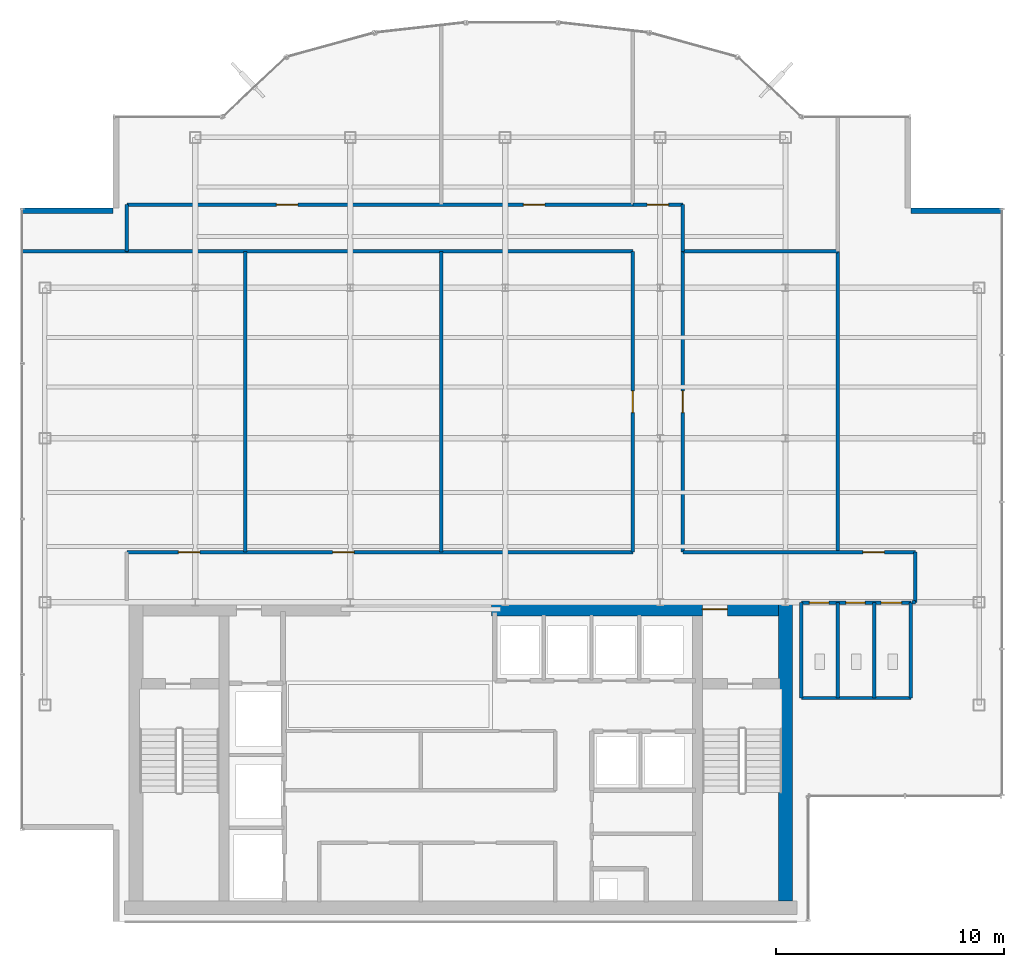
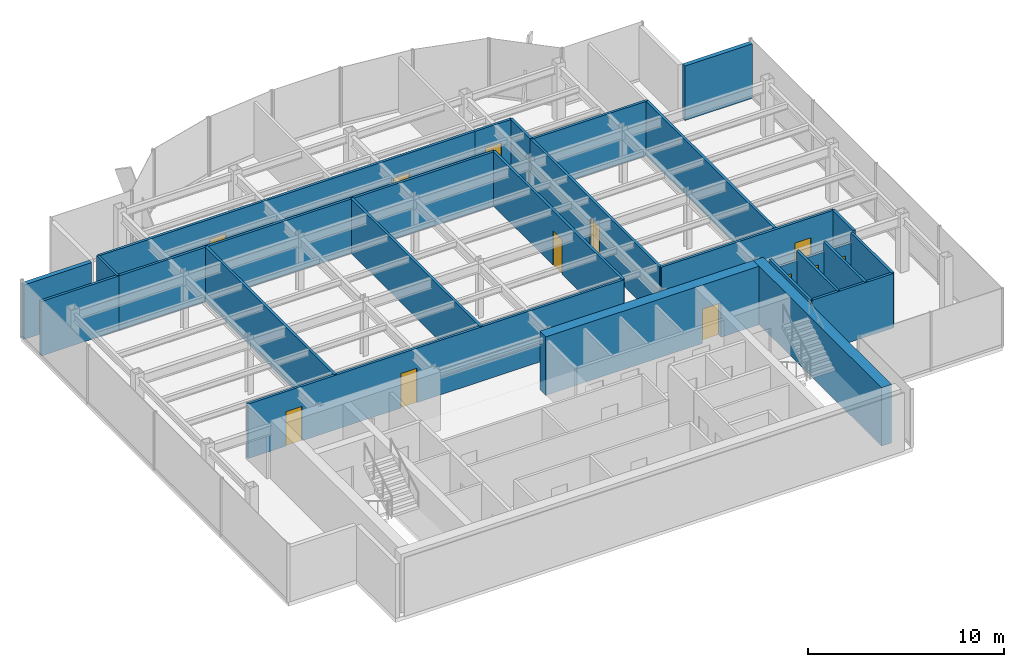
# One storey, part 18 of 22: 26 walls, 12 doors, 12 openings.
"""IFC4 building model written with IfcOpenShell, lengths in metres."""

from ifc_helpers import new_model, si_unit, derived_unit, direction, frame, frame_2d, origin, place, context, subcontext, project, spatial, rectangle, extrude, source, transform, mapped, material, layer, layer_set, type_object, element, fill, save


model = new_model("IFC4")

# Units and contexts
model_context = context("Model", 3, precision=1e-05, world=origin(), true_north=direction((0.0, 1.0)))
body_context = subcontext(model_context, "Body", "Model", "MODEL_VIEW")
ifc_project = project(units=[si_unit("LENGTHUNIT", "METRE"), si_unit("AREAUNIT", "SQUARE_METRE"), si_unit("VOLUMEUNIT", "CUBIC_METRE"), si_unit("PLANEANGLEUNIT", "RADIAN"), si_unit("MASSUNIT", "GRAM", prefix="KILO"), derived_unit("THERMALTRANSMITTANCEUNIT", [(si_unit("POWERUNIT", "WATT"), 1), (si_unit("LENGTHUNIT", "METRE"), -2), (si_unit("THERMODYNAMICTEMPERATUREUNIT", "KELVIN"), -1)])], contexts=[model_context])

# Site, building, storey
site_placement = place(None, origin())
site = spatial("IfcSite", under=ifc_project, at=site_placement, CompositionType="ELEMENT")
building_placement = place(site_placement, origin())
building = spatial("IfcBuilding", under=site, at=building_placement, Name="Skarnbrae Concourse Arena and Tower", CompositionType="ELEMENT")
storey_placement = place(building_placement, frame((0.0, 0.0, 203.199951171875)))
storey = spatial("IfcBuildingStorey", under=building, at=storey_placement, Name="L52", CompositionType="ELEMENT", Elevation=203.199951171875)

# Wall
ifc_material_1 = material(Name="Concrete 50 MPa (C50/60)", Category="concrete")
ifc_layer_1 = layer(ifc_material_1, 0.60009765625)
ifc_layer_set_1 = layer_set([ifc_layer_1], Name="Concrete 50 MPa (C50/60)")
wall_type_1 = type_object("IfcWallType", Name="WALL-CORE-600-C50", PredefinedType="SHEAR", material=ifc_layer_set_1)
shared_shape_1 = source(origin(), body_context, "Body", "SweptSolid", [
    extrude(rectangle(XDim=13.10009765625, YDim=0.60009765625, at=frame_2d((6.550048828125, 0.0))), origin(), (0.0, 0.0, 1.0), 3.650146484375),
])
wall_1_placement = place(storey_placement, frame((33.5, 0.89990234375, 0.0), z_axis=(0.0, 0.0, 1.0), x_axis=(0.0, 1.0, 0.0)))
element("IfcWall", 1, at=wall_1_placement, inside=storey, type_object=wall_type_1, Name="L52 Rear core shear wall CW-E", PredefinedType="SHEAR", context=body_context, shape_type="MappedRepresentation", body=[
    mapped(shared_shape_1, transform((0.0, 0.0, 0.0))),
])

# Wall, opening, door
shared_shape_2 = source(origin(), body_context, "Body", "SweptSolid", [
    extrude(rectangle(XDim=12.599853515625, YDim=0.60009765625, at=frame_2d((6.2998046875, 0.0))), origin(), (0.0, 0.0, 1.0), 3.650146484375),
])
wall_2_placement = place(storey_placement, frame((20.60009765625, 13.699951171875, 0.0), z_axis=(0.0, 0.0, 1.0), x_axis=(1.0, 0.0, 0.0)))
wall_2 = element("IfcWall", 2, at=wall_2_placement, inside=storey, type_object=wall_type_1, Name="L52 Rear core shear wall CW-NE", PredefinedType="SHEAR", context=body_context, shape_type="MappedRepresentation", body=[
    mapped(shared_shape_2, transform((0.0, 0.0, 0.0))),
])
opening_1_placement = place(wall_2_placement, frame((9.25, 0.0, 0.0)))
opening_1 = element("IfcOpeningElement", 3, at=opening_1_placement, cuts=wall_2, Name="Opening DT-03", PredefinedType="OPENING", context=body_context, shape_type="SweptSolid", body=[
    extrude(rectangle(XDim=1.10009765625, YDim=2.14990234375, at=frame_2d((0.550048828125, 1.074951171875))), frame((0.0, 0.31005859375, 0.0), z_axis=(0.0, -1.0, 0.0), x_axis=(1.0, 0.0, 0.0)), (0.0, 0.0, 1.0), 0.6201171875),
])
ifc_material_2 = material(Name="Steel CSA G40.21 350W", Category="steel")
door_type_1 = type_object("IfcDoorType", Name="DOOR-FIRE-1100-90M", OperationType="NOTDEFINED", PredefinedType="DOOR", material=ifc_material_2)
shared_shape_3 = source(origin(), body_context, "Body", "SweptSolid", [
    extrude(rectangle(XDim=1.10009765625, YDim=2.14990234375, at=frame_2d((0.550048828125, 1.074951171875))), frame((0.0, 0.02490234375, 0.0), z_axis=(0.0, -1.0, 0.0), x_axis=(1.0, 0.0, 0.0)), (0.0, 0.0, 1.0), 0.050048828125),
])
door_1_placement = place(opening_1_placement, origin())
door_1 = element("IfcDoor", 4, at=door_1_placement, inside=storey, type_object=door_type_1, Name="D-1586 Stair ST-2 Vestibule Door", OperationType="SINGLE_SWING_LEFT", OverallHeight=2.14990234375, OverallWidth=1.10009765625, PredefinedType="DOOR", context=body_context, shape_type="MappedRepresentation", body=[
    mapped(shared_shape_3, transform((0.0, 0.0, 0.0))),
])
fill(opening_1, door_1)

# Walls
ifc_material_3 = material(Name="Precast concrete 40 MPa (C40/50)", Category="concrete")
ifc_layer_2 = layer(ifc_material_3, 0.25)
ifc_layer_set_2 = layer_set([ifc_layer_2], Name="Precast concrete 40 MPa (C40/50)")
wall_type_2 = type_object("IfcWallType", Name="WALL-EXT-SPANDREL-250", PredefinedType="STANDARD", material=ifc_layer_set_2)
shared_shape_4 = source(origin(), body_context, "Body", "SweptSolid", [
    extrude(rectangle(XDim=4.0, YDim=0.25, at=frame_2d((2.0, 0.0))), origin(), (0.0, 0.0, 1.0), 3.400146484375),
])
for number, where, z_axis, x_axis, name in (
    (5, (43.0, 31.175048828125, 0.0), (0.0, 0.0, 1.0), (-1.0, 0.0, 0.0), "L52 Notched corner insulated return wall 05"),
    (6, (4.0, 31.175048828125, 0.0), (0.0, 0.0, 1.0), (-1.0, 0.0, 0.0), "L52 Notched corner insulated return wall 17"),
):
    element("IfcWall", number, at=place(storey_placement, frame(where, z_axis=z_axis, x_axis=x_axis)), inside=storey, type_object=wall_type_2, Name=name, PredefinedType="STANDARD", context=body_context, shape_type="MappedRepresentation", body=[
        mapped(shared_shape_4, transform((0.0, 0.0, 0.0))),
    ])
ifc_material_4 = material(Name="Gypsum board on cold-formed steel studs", Category="steel")
ifc_layer_3 = layer(ifc_material_4, 0.14990234375)
ifc_layer_set_3 = layer_set([ifc_layer_3], Name="Gypsum board on cold-formed steel studs")
wall_type_3 = type_object("IfcWallType", Name="WALL-PART-150", PredefinedType="PARTITIONING", material=ifc_layer_set_3)
shared_shape_5 = source(origin(), body_context, "Body", "SweptSolid", [
    extrude(rectangle(XDim=4.800048828125, YDim=0.14990234375, at=frame_2d((2.39990234375, 0.0))), origin(), (0.0, 0.0, 1.0), 3.400146484375),
])
wall_3_placement = place(storey_placement, frame((34.199951171875, 9.800048828125, 0.0), z_axis=(0.0, 0.0, 1.0), x_axis=(1.0, 0.0, 0.0)))
element("IfcWall", 7, at=wall_3_placement, inside=storey, type_object=wall_type_3, Name="L52 Interior partition wall W-L52-WC-S", PredefinedType="PARTITIONING", context=body_context, shape_type="MappedRepresentation", body=[
    mapped(shared_shape_5, transform((0.0, 0.0, 0.0))),
])
shared_shape_6 = source(origin(), body_context, "Body", "SweptSolid", [
    extrude(rectangle(XDim=4.179931640625, YDim=0.14990234375, at=frame_2d((2.08984375, 0.0))), origin(), (0.0, 0.0, 1.0), 3.400146484375),
])
for number, where, z_axis, x_axis, name in (
    (8, (39.0, 9.800048828125, 0.0), (0.0, 0.0, 1.0), (0.0, 1.0, 0.0), "L52 Interior partition wall W-L52-WC-E"),
    (9, (34.199951171875, 9.800048828125, 0.0), (0.0, 0.0, 1.0), (0.0, 1.0, 0.0), "L52 Interior partition wall W-L52-WC-W"),
    (10, (35.800048828125, 9.800048828125, 0.0), (0.0, 0.0, 1.0), (0.0, 1.0, 0.0), "L52 Interior partition wall W-L52-WC-D1"),
    (11, (37.39990234375, 9.800048828125, 0.0), (0.0, 0.0, 1.0), (0.0, 1.0, 0.0), "L52 Interior partition wall W-L52-WC-D2"),
):
    element("IfcWall", number, at=place(storey_placement, frame(where, z_axis=z_axis, x_axis=x_axis)), inside=storey, type_object=wall_type_3, Name=name, PredefinedType="PARTITIONING", context=body_context, shape_type="MappedRepresentation", body=[
        mapped(shared_shape_6, transform((0.0, 0.0, 0.0))),
    ])
ifc_layer_4 = layer(ifc_material_4, 0.14990234375)
ifc_layer_set_4 = layer_set([ifc_layer_4], Name="Gypsum board on cold-formed steel studs")
wall_type_4 = type_object("IfcWallType", Name="WALL-PART-150-1HR", PredefinedType="PARTITIONING", material=ifc_layer_set_4)
shared_shape_7 = source(origin(), body_context, "Body", "SweptSolid", [
    extrude(rectangle(XDim=2.050048828125, YDim=0.14990234375, at=frame_2d((1.02490234375, 0.0))), origin(), (0.0, 0.0, 1.0), 3.400146484375),
])
for number, where, z_axis, x_axis, name in (
    (12, (4.60009765625, 29.39990234375, 0.0), (0.0, 0.0, 1.0), (0.0, 1.0, 0.0), "L52 Interior partition wall W-L52-COR-05"),
    (13, (29.0, 31.449951171875, 0.0), (0.0, 0.0, 1.0), (0.0, -1.0, 0.0), "L52 Interior partition wall W-L52-COR-08"),
):
    element("IfcWall", number, at=place(storey_placement, frame(where, z_axis=z_axis, x_axis=x_axis)), inside=storey, type_object=wall_type_4, Name=name, PredefinedType="PARTITIONING", context=body_context, shape_type="MappedRepresentation", body=[
        mapped(shared_shape_7, transform((0.0, 0.0, 0.0))),
    ])

# Wall, opening, door
shared_shape_8 = source(origin(), body_context, "Body", "SweptSolid", [
    extrude(rectangle(XDim=2.199951171875, YDim=0.14990234375, at=frame_2d((1.10009765625, 0.0))), origin(), (0.0, 0.0, 1.0), 3.400146484375),
])
wall_4_placement = place(storey_placement, frame((26.800048828125, 31.449951171875, 0.0), z_axis=(0.0, 0.0, 1.0), x_axis=(1.0, 0.0, 0.0)))
wall_4 = element("IfcWall", 14, at=wall_4_placement, inside=storey, type_object=wall_type_4, Name="L52 Interior partition wall W-L52-COR-07", PredefinedType="PARTITIONING", context=body_context, shape_type="MappedRepresentation", body=[
    mapped(shared_shape_8, transform((0.0, 0.0, 0.0))),
])
opening_2_placement = place(wall_4_placement, frame((0.625, 0.0, 0.0)))
opening_2 = element("IfcOpeningElement", 15, at=opening_2_placement, cuts=wall_4, Name="Opening DT-04", PredefinedType="OPENING", context=body_context, shape_type="SweptSolid", body=[
    extrude(rectangle(XDim=0.949951171875, YDim=2.14990234375, at=frame_2d((0.47509765625, 1.074951171875))), frame((0.0, 0.0849609375, 0.0), z_axis=(0.0, -1.0, 0.0), x_axis=(1.0, 0.0, 0.0)), (0.0, 0.0, 1.0), 0.169921875),
])
door_type_2 = type_object("IfcDoorType", Name="DOOR-INT-950-45M", OperationType="NOTDEFINED", PredefinedType="DOOR", material=ifc_material_2)
shared_shape_9 = source(origin(), body_context, "Body", "SweptSolid", [
    extrude(rectangle(XDim=0.949951171875, YDim=2.14990234375, at=frame_2d((0.47509765625, 1.074951171875))), frame((0.0, 0.02490234375, 0.0), z_axis=(0.0, -1.0, 0.0), x_axis=(1.0, 0.0, 0.0)), (0.0, 0.0, 1.0), 0.050048828125),
])
door_2_placement = place(opening_2_placement, origin())
door_2 = element("IfcDoor", 16, at=door_2_placement, inside=storey, type_object=door_type_2, Name="D-1610 L52 Suite Door 06", OperationType="SINGLE_SWING_LEFT", OverallHeight=2.14990234375, OverallWidth=0.949951171875, PredefinedType="DOOR", context=body_context, shape_type="MappedRepresentation", body=[
    mapped(shared_shape_9, transform((0.0, 0.0, 0.0))),
])
fill(opening_2, door_2)

# Walls
wall_5_placement = place(storey_placement, frame((39.199951171875, 16.199951171875, 0.0), z_axis=(0.0, 0.0, 1.0), x_axis=(0.0, -1.0, 0.0)))
element("IfcWall", 17, at=wall_5_placement, inside=storey, type_object=wall_type_4, Name="L52 Interior partition wall W-L52-COR-11", PredefinedType="PARTITIONING", context=body_context, shape_type="MappedRepresentation", body=[
    mapped(shared_shape_8, transform((0.0, 0.0, 0.0))),
])
shared_shape_10 = source(origin(), body_context, "Body", "SweptSolid", [
    extrude(rectangle(XDim=4.580078125, YDim=0.14990234375, at=frame_2d((2.2900390625, 0.0))), origin(), (0.0, 0.0, 1.0), 3.400146484375),
])
wall_6_placement = place(storey_placement, frame((0.02001953125, 29.39990234375, 0.0), z_axis=(0.0, 0.0, 1.0), x_axis=(1.0, 0.0, 0.0)))
element("IfcWall", 18, at=wall_6_placement, inside=storey, type_object=wall_type_3, Name="L52 Interior partition wall W-L52-DEM-13", PredefinedType="PARTITIONING", context=body_context, shape_type="MappedRepresentation", body=[
    mapped(shared_shape_10, transform((0.0, 0.0, 0.0))),
])

# Wall, opening, door
shared_shape_11 = source(origin(), body_context, "Body", "SweptSolid", [
    extrude(rectangle(XDim=10.199951171875, YDim=0.14990234375, at=frame_2d((5.10009765625, 0.0))), origin(), (0.0, 0.0, 1.0), 3.400146484375),
])
wall_7_placement = place(storey_placement, frame((29.0, 16.199951171875, 0.0), z_axis=(0.0, 0.0, 1.0), x_axis=(1.0, 0.0, 0.0)))
wall_7 = element("IfcWall", 19, at=wall_7_placement, inside=storey, type_object=wall_type_4, Name="L52 Interior partition wall W-L52-COR-10", PredefinedType="PARTITIONING", context=body_context, shape_type="MappedRepresentation", body=[
    mapped(shared_shape_11, transform((0.0, 0.0, 0.0))),
])
opening_3_placement = place(wall_7_placement, frame((7.89501953125, 0.0, 0.0)))
opening_3 = element("IfcOpeningElement", 20, at=opening_3_placement, cuts=wall_7, Name="Opening DT-04", PredefinedType="OPENING", context=body_context, shape_type="SweptSolid", body=[
    extrude(rectangle(XDim=0.949951171875, YDim=2.14990234375, at=frame_2d((0.47509765625, 1.074951171875))), frame((0.0, 0.0849609375, 0.0), z_axis=(0.0, -1.0, 0.0), x_axis=(1.0, 0.0, 0.0)), (0.0, 0.0, 1.0), 0.169921875),
])
door_3_placement = place(opening_3_placement, origin())
door_3 = element("IfcDoor", 21, at=door_3_placement, inside=storey, type_object=door_type_2, Name="D-1612 L52 Suite Door 08", OperationType="SINGLE_SWING_LEFT", OverallHeight=2.14990234375, OverallWidth=0.949951171875, PredefinedType="DOOR", context=body_context, shape_type="MappedRepresentation", body=[
    mapped(shared_shape_9, transform((0.0, 0.0, 0.0))),
])
fill(opening_3, door_3)

# Wall, openings, doors
shared_shape_12 = source(origin(), body_context, "Body", "SweptSolid", [
    extrude(rectangle(XDim=4.800048828125, YDim=0.14990234375, at=frame_2d((2.39990234375, 0.0))), origin(), (0.0, 0.0, 1.0), 2.787109375),
])
wall_8_placement = place(storey_placement, frame((34.199951171875, 13.97998046875, 0.0), z_axis=(0.0, 0.0, 1.0), x_axis=(1.0, 0.0, 0.0)))
wall_8 = element("IfcWall", 22, at=wall_8_placement, inside=storey, type_object=wall_type_3, Name="L52 Interior partition wall W-L52-WC-N", PredefinedType="PARTITIONING", context=body_context, shape_type="MappedRepresentation", body=[
    mapped(shared_shape_12, transform((0.0, 0.0, 0.0))),
])
opening_4_placement = place(wall_8_placement, frame((0.35009765625, 0.0, 0.0)))
opening_4 = element("IfcOpeningElement", 23, at=opening_4_placement, cuts=wall_8, Name="Opening DT-06", PredefinedType="OPENING", context=body_context, shape_type="SweptSolid", body=[
    extrude(rectangle(XDim=0.85009765625, YDim=2.10009765625, at=frame_2d((0.425048828125, 1.050048828125))), frame((0.0, 0.0849609375, 0.0), z_axis=(0.0, -1.0, 0.0), x_axis=(1.0, 0.0, 0.0)), (0.0, 0.0, 1.0), 0.169921875),
])
opening_5_placement = place(wall_8_placement, frame((1.949951171875, 0.0, 0.0)))
opening_5 = element("IfcOpeningElement", 24, at=opening_5_placement, cuts=wall_8, Name="Opening DT-06", PredefinedType="OPENING", context=body_context, shape_type="SweptSolid", body=[
    extrude(rectangle(XDim=0.85009765625, YDim=2.10009765625, at=frame_2d((0.425048828125, 1.050048828125))), frame((0.0, 0.0849609375, 0.0), z_axis=(0.0, -1.0, 0.0), x_axis=(1.0, 0.0, 0.0)), (0.0, 0.0, 1.0), 0.169921875),
])
opening_6_placement = place(wall_8_placement, frame((3.5, 0.0, 0.0)))
opening_6 = element("IfcOpeningElement", 25, at=opening_6_placement, cuts=wall_8, Name="Opening DT-05", PredefinedType="OPENING", context=body_context, shape_type="SweptSolid", body=[
    extrude(rectangle(XDim=0.89990234375, YDim=2.10009765625, at=frame_2d((0.449951171875, 1.050048828125))), frame((0.0, 0.0849609375, 0.0), z_axis=(0.0, -1.0, 0.0), x_axis=(1.0, 0.0, 0.0)), (0.0, 0.0, 1.0), 0.169921875),
])
ifc_material_5 = material(Name="Architectural oak veneer timber leaf", Category="wood")
door_type_3 = type_object("IfcDoorType", Name="DOOR-INT-850", OperationType="NOTDEFINED", PredefinedType="DOOR", material=ifc_material_5)
shared_shape_13 = source(origin(), body_context, "Body", "SweptSolid", [
    extrude(rectangle(XDim=0.85009765625, YDim=2.10009765625, at=frame_2d((0.425048828125, 1.050048828125))), frame((0.0, 0.02490234375, 0.0), z_axis=(0.0, -1.0, 0.0), x_axis=(1.0, 0.0, 0.0)), (0.0, 0.0, 1.0), 0.050048828125),
])
door_4_placement = place(opening_4_placement, frame((0.85009765625, 0.0, 0.0), z_axis=(0.0, 0.0, 1.0), x_axis=(-1.0, 0.0, 0.0)))
door_4 = element("IfcDoor", 26, at=door_4_placement, inside=storey, type_object=door_type_3, Name="D-1602 Male Washroom Door", OperationType="SINGLE_SWING_LEFT", OverallHeight=2.10009765625, OverallWidth=0.85009765625, PredefinedType="DOOR", context=body_context, shape_type="MappedRepresentation", body=[
    mapped(shared_shape_13, transform((0.0, 0.0, 0.0))),
])
fill(opening_4, door_4)
door_5_placement = place(opening_5_placement, frame((0.85009765625, 0.0, 0.0), z_axis=(0.0, 0.0, 1.0), x_axis=(-1.0, 0.0, 0.0)))
door_5 = element("IfcDoor", 27, at=door_5_placement, inside=storey, type_object=door_type_3, Name="D-1603 Female Washroom Door", OperationType="SINGLE_SWING_RIGHT", OverallHeight=2.10009765625, OverallWidth=0.85009765625, PredefinedType="DOOR", context=body_context, shape_type="MappedRepresentation", body=[
    mapped(shared_shape_13, transform((0.0, 0.0, 0.0))),
])
fill(opening_5, door_5)
door_type_4 = type_object("IfcDoorType", Name="DOOR-INT-900", OperationType="NOTDEFINED", PredefinedType="DOOR", material=ifc_material_5)
shared_shape_14 = source(origin(), body_context, "Body", "SweptSolid", [
    extrude(rectangle(XDim=0.89990234375, YDim=2.10009765625, at=frame_2d((0.449951171875, 1.050048828125))), frame((0.0, 0.02490234375, 0.0), z_axis=(0.0, -1.0, 0.0), x_axis=(1.0, 0.0, 0.0)), (0.0, 0.0, 1.0), 0.050048828125),
])
door_6_placement = place(opening_6_placement, frame((0.89990234375, 0.0, 0.0), z_axis=(0.0, 0.0, 1.0), x_axis=(-1.0, 0.0, 0.0)))
door_6 = element("IfcDoor", 28, at=door_6_placement, inside=storey, type_object=door_type_4, Name="D-1604 Accessible WC Door", OperationType="SINGLE_SWING_LEFT", OverallHeight=2.10009765625, OverallWidth=0.89990234375, PredefinedType="DOOR", context=body_context, shape_type="MappedRepresentation", body=[
    mapped(shared_shape_14, transform((0.0, 0.0, 0.0))),
])
fill(opening_6, door_6)

# Wall
shared_shape_15 = source(origin(), body_context, "Body", "SweptSolid", [
    extrude(rectangle(XDim=0.14990234375, YDim=0.14990234375, at=frame_2d((0.074951171875, 0.0))), origin(), (0.0, 0.0, 1.0), 3.400146484375),
])
wall_9_placement = place(storey_placement, frame((39.199951171875, 14.0, 0.0), z_axis=(0.0, 0.0, 1.0), x_axis=(-1.0, 0.0, 0.0)))
element("IfcWall", 29, at=wall_9_placement, inside=storey, type_object=wall_type_4, Name="L52 Interior partition wall W-L52-COR-12", PredefinedType="PARTITIONING", context=body_context, shape_type="MappedRepresentation", body=[
    mapped(shared_shape_15, transform((0.0, 0.0, 0.0))),
])

# Wall, openings, doors
shared_shape_16 = source(origin(), body_context, "Body", "SweptSolid", [
    extrude(rectangle(XDim=22.199951171875, YDim=0.14990234375, at=frame_2d((11.10009765625, 0.0))), origin(), (0.0, 0.0, 1.0), 3.400146484375),
])
wall_10_placement = place(storey_placement, frame((4.60009765625, 16.199951171875, 0.0), z_axis=(0.0, 0.0, 1.0), x_axis=(1.0, 0.0, 0.0)))
wall_10 = element("IfcWall", 30, at=wall_10_placement, inside=storey, type_object=wall_type_4, Name="L52 Interior partition wall W-L52-COR-02", PredefinedType="PARTITIONING", context=body_context, shape_type="MappedRepresentation", body=[
    mapped(shared_shape_16, transform((0.0, 0.0, 0.0))),
])
opening_7_placement = place(wall_10_placement, frame((2.2548828125, 0.0, 0.0)))
opening_7 = element("IfcOpeningElement", 31, at=opening_7_placement, cuts=wall_10, Name="Opening DT-04", PredefinedType="OPENING", context=body_context, shape_type="SweptSolid", body=[
    extrude(rectangle(XDim=0.949951171875, YDim=2.14990234375, at=frame_2d((0.47509765625, 1.074951171875))), frame((0.0, 0.0849609375, 0.0), z_axis=(0.0, -1.0, 0.0), x_axis=(1.0, 0.0, 0.0)), (0.0, 0.0, 1.0), 0.169921875),
])
opening_8_placement = place(wall_10_placement, frame((9.02490234375, 0.0, 0.0)))
opening_8 = element("IfcOpeningElement", 32, at=opening_8_placement, cuts=wall_10, Name="Opening DT-04", PredefinedType="OPENING", context=body_context, shape_type="SweptSolid", body=[
    extrude(rectangle(XDim=0.949951171875, YDim=2.14990234375, at=frame_2d((0.47509765625, 1.074951171875))), frame((0.0, 0.0849609375, 0.0), z_axis=(0.0, -1.0, 0.0), x_axis=(1.0, 0.0, 0.0)), (0.0, 0.0, 1.0), 0.169921875),
])
door_7_placement = place(opening_7_placement, origin())
door_7 = element("IfcDoor", 33, at=door_7_placement, inside=storey, type_object=door_type_2, Name="D-1605 L52 Suite Door 01", OperationType="SINGLE_SWING_RIGHT", OverallHeight=2.14990234375, OverallWidth=0.949951171875, PredefinedType="DOOR", context=body_context, shape_type="MappedRepresentation", body=[
    mapped(shared_shape_9, transform((0.0, 0.0, 0.0))),
])
fill(opening_7, door_7)
door_8_placement = place(opening_8_placement, origin())
door_8 = element("IfcDoor", 34, at=door_8_placement, inside=storey, type_object=door_type_2, Name="D-1607 L52 Suite Door 03", OperationType="SINGLE_SWING_RIGHT", OverallHeight=2.14990234375, OverallWidth=0.949951171875, PredefinedType="DOOR", context=body_context, shape_type="MappedRepresentation", body=[
    mapped(shared_shape_9, transform((0.0, 0.0, 0.0))),
])
fill(opening_8, door_8)

# Wall
wall_11_placement = place(storey_placement, frame((26.800048828125, 29.39990234375, 0.0), z_axis=(0.0, 0.0, 1.0), x_axis=(-1.0, 0.0, 0.0)))
element("IfcWall", 35, at=wall_11_placement, inside=storey, type_object=wall_type_4, Name="L52 Interior partition wall W-L52-COR-04", PredefinedType="PARTITIONING", context=body_context, shape_type="MappedRepresentation", body=[
    mapped(shared_shape_16, transform((0.0, 0.0, 0.0))),
])

# Wall, openings, doors
wall_12_placement = place(storey_placement, frame((4.60009765625, 31.449951171875, 0.0), z_axis=(0.0, 0.0, 1.0), x_axis=(1.0, 0.0, 0.0)))
wall_12 = element("IfcWall", 36, at=wall_12_placement, inside=storey, type_object=wall_type_4, Name="L52 Interior partition wall W-L52-COR-06", PredefinedType="PARTITIONING", context=body_context, shape_type="MappedRepresentation", body=[
    mapped(shared_shape_16, transform((0.0, 0.0, 0.0))),
])
opening_9_placement = place(wall_12_placement, frame((6.554931640625, 0.0, 0.0)))
opening_9 = element("IfcOpeningElement", 37, at=opening_9_placement, cuts=wall_12, Name="Opening DT-04", PredefinedType="OPENING", context=body_context, shape_type="SweptSolid", body=[
    extrude(rectangle(XDim=0.949951171875, YDim=2.14990234375, at=frame_2d((0.47509765625, 1.074951171875))), frame((0.0, 0.0849609375, 0.0), z_axis=(0.0, -1.0, 0.0), x_axis=(1.0, 0.0, 0.0)), (0.0, 0.0, 1.0), 0.169921875),
])
opening_10_placement = place(wall_12_placement, frame((17.39501953125, 0.0, 0.0)))
opening_10 = element("IfcOpeningElement", 38, at=opening_10_placement, cuts=wall_12, Name="Opening DT-04", PredefinedType="OPENING", context=body_context, shape_type="SweptSolid", body=[
    extrude(rectangle(XDim=0.949951171875, YDim=2.14990234375, at=frame_2d((0.47509765625, 1.074951171875))), frame((0.0, 0.0849609375, 0.0), z_axis=(0.0, -1.0, 0.0), x_axis=(1.0, 0.0, 0.0)), (0.0, 0.0, 1.0), 0.169921875),
])
door_9_placement = place(opening_9_placement, origin())
door_9 = element("IfcDoor", 39, at=door_9_placement, inside=storey, type_object=door_type_2, Name="D-1606 L52 Suite Door 02", OperationType="SINGLE_SWING_LEFT", OverallHeight=2.14990234375, OverallWidth=0.949951171875, PredefinedType="DOOR", context=body_context, shape_type="MappedRepresentation", body=[
    mapped(shared_shape_9, transform((0.0, 0.0, 0.0))),
])
fill(opening_9, door_9)
door_10_placement = place(opening_10_placement, origin())
door_10 = element("IfcDoor", 40, at=door_10_placement, inside=storey, type_object=door_type_2, Name="D-1609 L52 Suite Door 05", OperationType="SINGLE_SWING_RIGHT", OverallHeight=2.14990234375, OverallWidth=0.949951171875, PredefinedType="DOOR", context=body_context, shape_type="MappedRepresentation", body=[
    mapped(shared_shape_9, transform((0.0, 0.0, 0.0))),
])
fill(opening_10, door_10)

# Wall, opening, door
shared_shape_17 = source(origin(), body_context, "Body", "SweptSolid", [
    extrude(rectangle(XDim=13.199951171875, YDim=0.14990234375, at=frame_2d((6.60009765625, 0.0))), origin(), (0.0, 0.0, 1.0), 3.400146484375),
])
wall_13_placement = place(storey_placement, frame((26.800048828125, 16.199951171875, 0.0), z_axis=(0.0, 0.0, 1.0), x_axis=(0.0, 1.0, 0.0)))
wall_13 = element("IfcWall", 41, at=wall_13_placement, inside=storey, type_object=wall_type_4, Name="L52 Interior partition wall W-L52-COR-03", PredefinedType="PARTITIONING", context=body_context, shape_type="MappedRepresentation", body=[
    mapped(shared_shape_17, transform((0.0, 0.0, 0.0))),
])
opening_11_placement = place(wall_13_placement, frame((6.125, 0.0, 0.0)))
opening_11 = element("IfcOpeningElement", 42, at=opening_11_placement, cuts=wall_13, Name="Opening DT-04", PredefinedType="OPENING", context=body_context, shape_type="SweptSolid", body=[
    extrude(rectangle(XDim=0.949951171875, YDim=2.14990234375, at=frame_2d((0.47509765625, 1.074951171875))), frame((0.0, 0.0849609375, 0.0), z_axis=(0.0, -1.0, 0.0), x_axis=(1.0, 0.0, 0.0)), (0.0, 0.0, 1.0), 0.169921875),
])
door_11_placement = place(opening_11_placement, origin())
door_11 = element("IfcDoor", 43, at=door_11_placement, inside=storey, type_object=door_type_2, Name="D-1608 L52 Suite Door 04", OperationType="SINGLE_SWING_LEFT", OverallHeight=2.14990234375, OverallWidth=0.949951171875, PredefinedType="DOOR", context=body_context, shape_type="MappedRepresentation", body=[
    mapped(shared_shape_9, transform((0.0, 0.0, 0.0))),
])
fill(opening_11, door_11)

wall_14_placement = place(storey_placement, frame((29.0, 29.39990234375, 0.0), z_axis=(0.0, 0.0, 1.0), x_axis=(0.0, -1.0, 0.0)))
wall_14 = element("IfcWall", 44, at=wall_14_placement, inside=storey, type_object=wall_type_4, Name="L52 Interior partition wall W-L52-COR-09", PredefinedType="PARTITIONING", context=body_context, shape_type="MappedRepresentation", body=[
    mapped(shared_shape_17, transform((0.0, 0.0, 0.0))),
])
opening_12_placement = place(wall_14_placement, frame((6.125, 0.0, 0.0)))
opening_12 = element("IfcOpeningElement", 45, at=opening_12_placement, cuts=wall_14, Name="Opening DT-04", PredefinedType="OPENING", context=body_context, shape_type="SweptSolid", body=[
    extrude(rectangle(XDim=0.949951171875, YDim=2.14990234375, at=frame_2d((0.47509765625, 1.074951171875))), frame((0.0, 0.0849609375, 0.0), z_axis=(0.0, -1.0, 0.0), x_axis=(1.0, 0.0, 0.0)), (0.0, 0.0, 1.0), 0.169921875),
])
door_12_placement = place(opening_12_placement, origin())
door_12 = element("IfcDoor", 46, at=door_12_placement, inside=storey, type_object=door_type_2, Name="D-1611 L52 Suite Door 07", OperationType="SINGLE_SWING_RIGHT", OverallHeight=2.14990234375, OverallWidth=0.949951171875, PredefinedType="DOOR", context=body_context, shape_type="MappedRepresentation", body=[
    mapped(shared_shape_9, transform((0.0, 0.0, 0.0))),
])
fill(opening_12, door_12)

# Walls
for number, where, z_axis, x_axis, name in (
    (47, (9.800048828125, 29.39990234375, 0.0), (0.0, 0.0, 1.0), (0.0, -1.0, 0.0), "L52 Interior partition wall W-L52-DEM-14"),
    (48, (18.39990234375, 29.39990234375, 0.0), (0.0, 0.0, 1.0), (0.0, -1.0, 0.0), "L52 Interior partition wall W-L52-DEM-15"),
    (49, (35.800048828125, 29.39990234375, 0.0), (0.0, 0.0, 1.0), (0.0, -1.0, 0.0), "L52 Interior partition wall W-L52-DEM-19"),
):
    element("IfcWall", number, at=place(storey_placement, frame(where, z_axis=z_axis, x_axis=x_axis)), inside=storey, type_object=wall_type_3, Name=name, PredefinedType="PARTITIONING", context=body_context, shape_type="MappedRepresentation", body=[
        mapped(shared_shape_17, transform((0.0, 0.0, 0.0))),
    ])
shared_shape_18 = source(origin(), body_context, "Body", "SweptSolid", [
    extrude(rectangle(XDim=6.800048828125, YDim=0.14990234375, at=frame_2d((3.39990234375, 0.0))), origin(), (0.0, 0.0, 1.0), 3.400146484375),
])
wall_15_placement = place(storey_placement, frame((35.800048828125, 29.39990234375, 0.0), z_axis=(0.0, 0.0, 1.0), x_axis=(-1.0, 0.0, 0.0)))
element("IfcWall", 50, at=wall_15_placement, inside=storey, type_object=wall_type_3, Name="L52 Interior partition wall W-L52-DEM-18", PredefinedType="PARTITIONING", context=body_context, shape_type="MappedRepresentation", body=[
    mapped(shared_shape_18, transform((0.0, 0.0, 0.0))),
])

save(model, "model.ifc")
